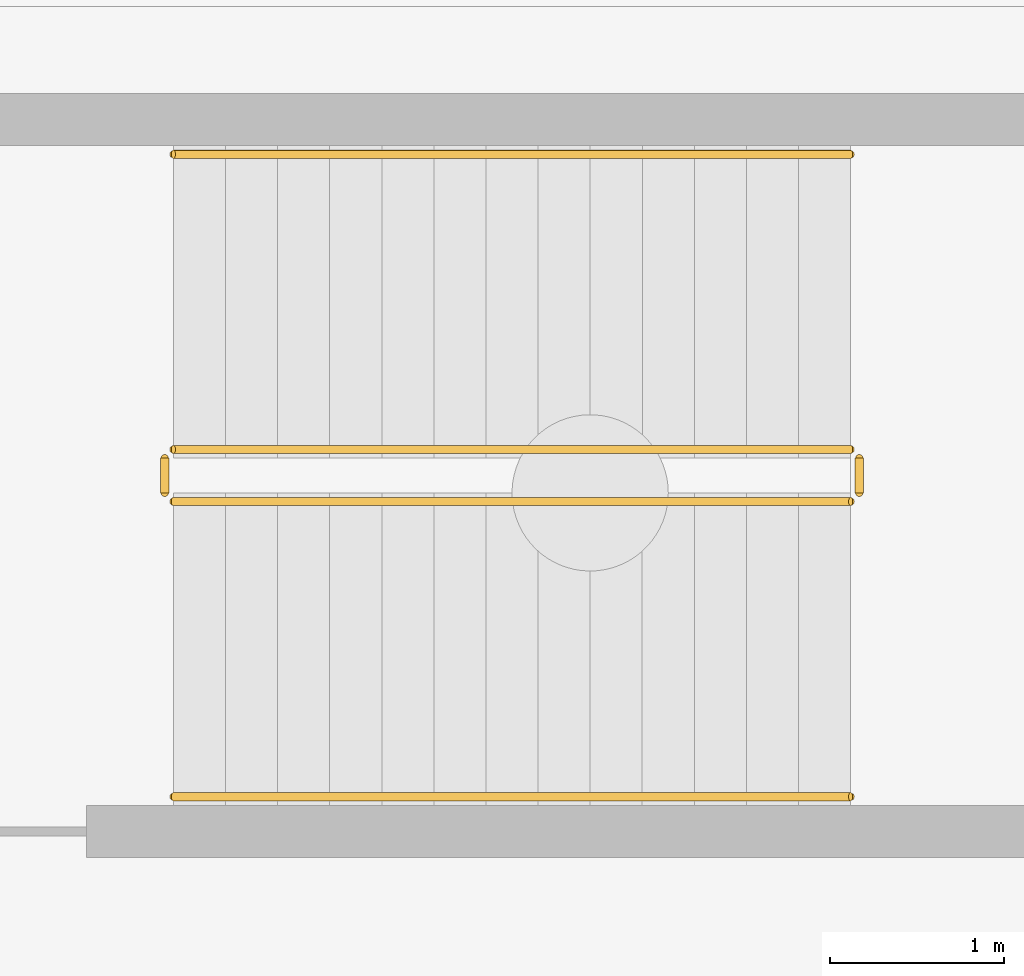
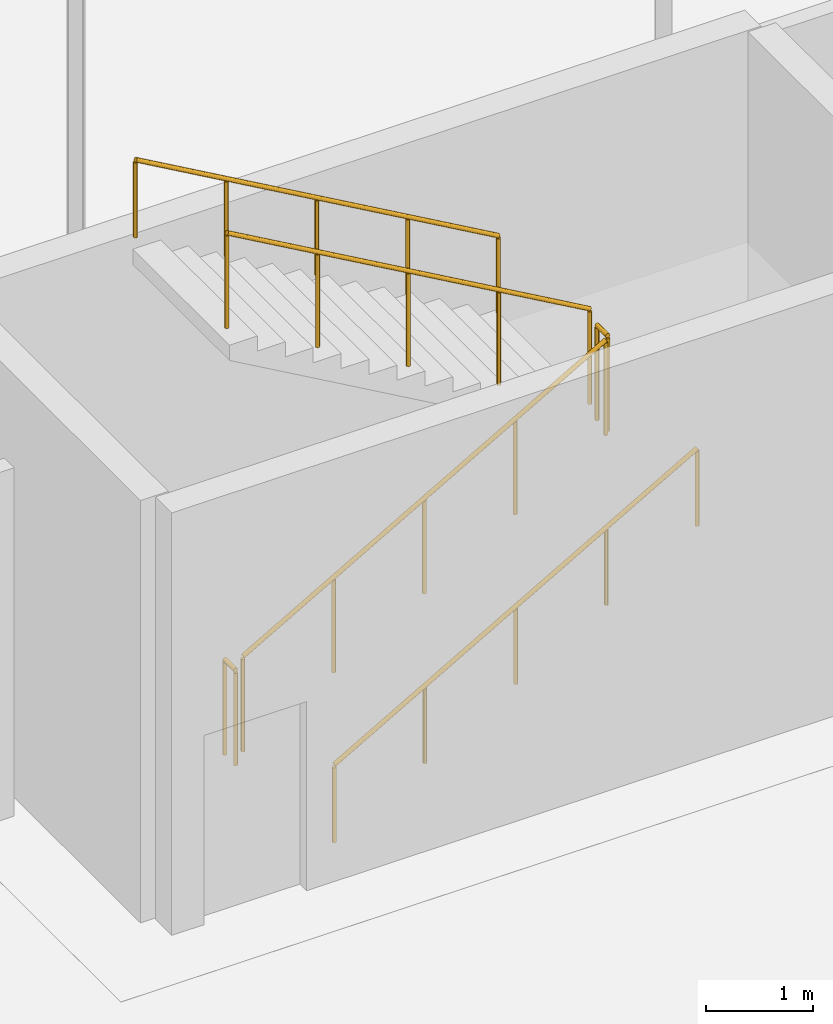
# One storey, part 129 of 136: 6 railings.
"""IFC4 building model written with IfcOpenShell, lengths in metres."""

from ifc_helpers import new_model, si_unit, direction, frame, origin, origin_2d, place, context, subcontext, project, spatial, circle, extrude, material, type_object, element, save


model = new_model("IFC4")

# Units and contexts
model_context = context("Model", 3, precision=1e-05, world=origin(), true_north=direction((0.0, 1.0)))
body_context = subcontext(model_context, "Body", "Model", "MODEL_VIEW")
ifc_project = project(units=[si_unit("LENGTHUNIT", "METRE"), si_unit("AREAUNIT", "SQUARE_METRE"), si_unit("VOLUMEUNIT", "CUBIC_METRE"), si_unit("PLANEANGLEUNIT", "RADIAN"), si_unit("MASSUNIT", "GRAM", prefix="KILO")], contexts=[model_context])

# Site, building, storey
site_placement = place(None, origin())
site = spatial("IfcSite", under=ifc_project, at=site_placement, CompositionType="ELEMENT")
building_placement = place(site_placement, origin())
building = spatial("IfcBuilding", under=site, at=building_placement, Name="Tarnwether General Hospital", CompositionType="ELEMENT")
storey_placement = place(building_placement, frame((0.0, 0.0, -4.800048828125)))
storey = spatial("IfcBuildingStorey", under=building, at=storey_placement, Name="LG", CompositionType="ELEMENT", Elevation=-4.800048828125)

# Railings
ifc_material_1 = material(Name="Anodised aluminium", Category="aluminium")
railing_type_1 = type_object("IfcRailingType", Name="RL-GRD-INT", PredefinedType="GUARDRAIL", material=ifc_material_1)
railing_1_placement = place(storey_placement, frame((64.199951171875, 19.550048828125, 0.17138671875)))
element("IfcRailing", 1, at=railing_1_placement, inside=storey, type_object=railing_type_1, Name="LG ST-09 stair guard 1", PredefinedType="GUARDRAIL", context=body_context, shape_type="SweptSolid", body=[
    extrude(circle(Radius=0.02392578125, at=origin_2d()), frame((0.0, 0.0, 1.076171875), z_axis=(0.868233108195, 0.0, 0.496156497321), x_axis=(0.0, 1.0, 0.0)), (0.0, 0.0, 1.0), 4.491943359375),
    extrude(circle(Radius=0.02099609375, at=origin_2d()), origin(), (0.0, 0.0, 1.0), 1.052001953125),
    extrude(circle(Radius=0.02099609375, at=origin_2d()), frame((0.97509765625, 0.0, 0.55712890625)), (0.0, 0.0, 1.0), 1.052001953125),
    extrude(circle(Radius=0.02099609375, at=origin_2d()), frame((1.9501953125, 0.0, 1.1142578125)), (0.0, 0.0, 1.0), 1.052001953125),
    extrude(circle(Radius=0.02099609375, at=origin_2d()), frame((2.925048828125, 0.0, 1.671630859375)), (0.0, 0.0, 1.0), 1.052001953125),
    extrude(circle(Radius=0.02099609375, at=origin_2d()), frame((3.900146484375, 0.0, 2.228759765625)), (0.0, 0.0, 1.0), 1.052001953125),
])
railing_2_placement = place(storey_placement, frame((68.14990234375, 19.60009765625, 2.400146484375)))
element("IfcRailing", 2, at=railing_2_placement, inside=storey, type_object=railing_type_1, Name="LG ST-09 stair guard 2", PredefinedType="GUARDRAIL", context=body_context, shape_type="SweptSolid", body=[
    extrude(circle(Radius=0.02392578125, at=origin_2d()), frame((0.0, 0.0, 1.076171875), z_axis=(0.0, 1.0, 0.0), x_axis=(-1.0, 0.0, 0.0)), (0.0, 0.0, 1.0), 0.199951171875),
    extrude(circle(Radius=0.02099609375, at=origin_2d()), origin(), (0.0, 0.0, 1.0), 1.052001953125),
    extrude(circle(Radius=0.02099609375, at=origin_2d()), frame((0.0, 0.199951171875, 0.0)), (0.0, 0.0, 1.0), 1.052001953125),
])
railing_3_placement = place(storey_placement, frame((68.10009765625, 19.85009765625, 2.571533203125)))
element("IfcRailing", 3, at=railing_3_placement, inside=storey, type_object=railing_type_1, Name="LG ST-09 stair guard 3", PredefinedType="GUARDRAIL", context=body_context, shape_type="SweptSolid", body=[
    extrude(circle(Radius=0.02392578125, at=origin_2d()), frame((0.0, 0.0, 1.076171875), z_axis=(-0.868256520506, 0.0, 0.496115525457), x_axis=(0.0, -1.0, 0.0)), (0.0, 0.0, 1.0), 4.491943359375),
    extrude(circle(Radius=0.02099609375, at=origin_2d()), origin(), (0.0, 0.0, 1.0), 1.052001953125),
    extrude(circle(Radius=0.02099609375, at=origin_2d()), frame((-0.97509765625, 0.0, 0.55712890625)), (0.0, 0.0, 1.0), 1.052001953125),
    extrude(circle(Radius=0.02099609375, at=origin_2d()), frame((-1.9501953125, 0.0, 1.1142578125)), (0.0, 0.0, 1.0), 1.052001953125),
    extrude(circle(Radius=0.02099609375, at=origin_2d()), frame((-2.925048828125, 0.0, 1.67138671875)), (0.0, 0.0, 1.0), 1.052001953125),
    extrude(circle(Radius=0.02099609375, at=origin_2d()), frame((-3.900146484375, 0.0, 2.228515625)), (0.0, 0.0, 1.0), 1.052001953125),
])
railing_4_placement = place(storey_placement, frame((64.14990234375, 19.60009765625, 0.0)))
element("IfcRailing", 4, at=railing_4_placement, inside=storey, type_object=railing_type_1, Name="LG ST-09 stair guard 4", PredefinedType="GUARDRAIL", context=body_context, shape_type="SweptSolid", body=[
    extrude(circle(Radius=0.02392578125, at=origin_2d()), frame((0.0, 0.0, 1.076171875), z_axis=(0.0, 1.0, 0.0), x_axis=(-1.0, 0.0, 0.0)), (0.0, 0.0, 1.0), 0.199951171875),
    extrude(circle(Radius=0.02099609375, at=origin_2d()), origin(), (0.0, 0.0, 1.0), 1.052001953125),
    extrude(circle(Radius=0.02099609375, at=origin_2d()), frame((0.0, 0.199951171875, 0.0)), (0.0, 0.0, 1.0), 1.052001953125),
])
ifc_material_2 = material(Name="Anodised aluminium", Category="aluminium")
railing_type_2 = type_object("IfcRailingType", Name="RL-HND-INT", PredefinedType="HANDRAIL", material=ifc_material_2)
railing_5_placement = place(storey_placement, frame((64.199951171875, 17.85009765625, 0.17138671875)))
element("IfcRailing", 5, at=railing_5_placement, inside=storey, type_object=railing_type_2, Name="LG ST-09 stair handrail 1", PredefinedType="HANDRAIL", context=body_context, shape_type="SweptSolid", body=[
    extrude(circle(Radius=0.02392578125, at=origin_2d()), frame((0.0, 0.0, 0.8759765625), z_axis=(0.868233108195, 0.0, 0.496156497321), x_axis=(0.0, 1.0, 0.0)), (0.0, 0.0, 1.0), 4.491943359375),
    extrude(circle(Radius=0.02099609375, at=origin_2d()), origin(), (0.0, 0.0, 1.0), 0.851806640625),
    extrude(circle(Radius=0.02099609375, at=origin_2d()), frame((0.97509765625, 0.0, 0.55712890625)), (0.0, 0.0, 1.0), 0.851806640625),
    extrude(circle(Radius=0.02099609375, at=origin_2d()), frame((1.9501953125, 0.0, 1.1142578125)), (0.0, 0.0, 1.0), 0.851806640625),
    extrude(circle(Radius=0.02099609375, at=origin_2d()), frame((2.925048828125, 0.0, 1.671630859375)), (0.0, 0.0, 1.0), 0.851806640625),
    extrude(circle(Radius=0.02099609375, at=origin_2d()), frame((3.900146484375, 0.0, 2.228759765625)), (0.0, 0.0, 1.0), 0.851806640625),
])
railing_6_placement = place(storey_placement, frame((68.10009765625, 21.550048828125, 2.571533203125)))
element("IfcRailing", 6, at=railing_6_placement, inside=storey, type_object=railing_type_2, Name="LG ST-09 stair handrail 2", PredefinedType="HANDRAIL", context=body_context, shape_type="SweptSolid", body=[
    extrude(circle(Radius=0.02392578125, at=origin_2d()), frame((0.0, 0.0, 0.8759765625), z_axis=(-0.868256520506, 0.0, 0.496115525457), x_axis=(0.0, -1.0, 0.0)), (0.0, 0.0, 1.0), 4.491943359375),
    extrude(circle(Radius=0.02099609375, at=origin_2d()), origin(), (0.0, 0.0, 1.0), 0.851806640625),
    extrude(circle(Radius=0.02099609375, at=origin_2d()), frame((-0.97509765625, 0.0, 0.55712890625)), (0.0, 0.0, 1.0), 0.851806640625),
    extrude(circle(Radius=0.02099609375, at=origin_2d()), frame((-1.9501953125, 0.0, 1.1142578125)), (0.0, 0.0, 1.0), 0.851806640625),
    extrude(circle(Radius=0.02099609375, at=origin_2d()), frame((-2.925048828125, 0.0, 1.67138671875)), (0.0, 0.0, 1.0), 0.851806640625),
    extrude(circle(Radius=0.02099609375, at=origin_2d()), frame((-3.900146484375, 0.0, 2.228515625)), (0.0, 0.0, 1.0), 0.851806640625),
])

save(model, "model.ifc")
